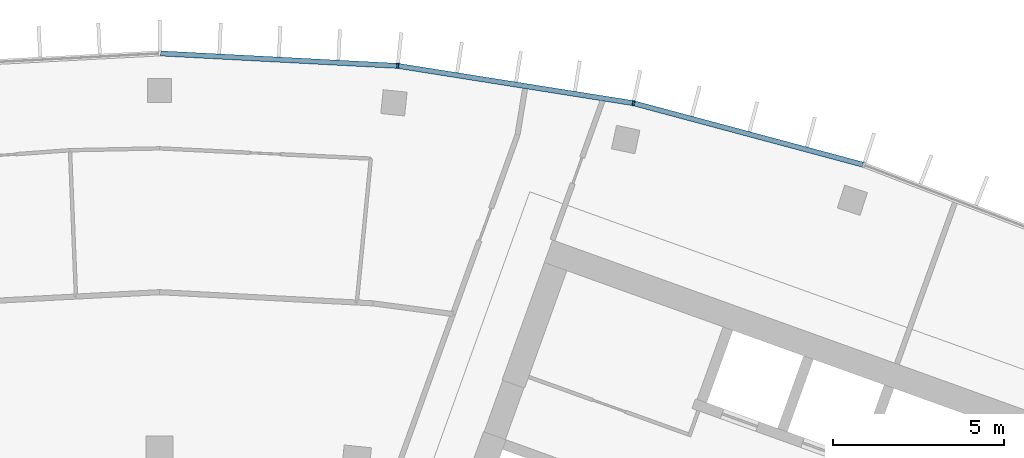
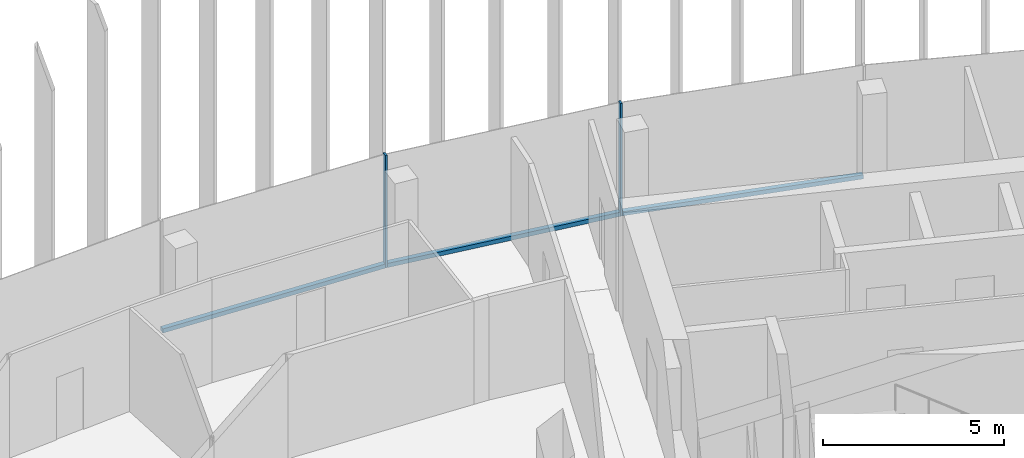
# One storey, part 7 of 18: 5 members, 1 element without a shape of its own.
"""IFC4 building model written with IfcOpenShell, lengths in metres."""

from ifc_helpers import new_model, si_unit, direction, frame, origin, origin_2d, place, context, subcontext, project, spatial, rectangle, extrude, material, layer, layer_set, material_profile, profile_set, type_object, element, aggregate, save


model = new_model("IFC4")

# Units and contexts
model_context = context("Model", 3, precision=1e-05, world=origin(), true_north=direction((0.0, 1.0)))
body_context = subcontext(model_context, "Body", "Model", "MODEL_VIEW")
ifc_project = project(units=[si_unit("LENGTHUNIT", "METRE"), si_unit("AREAUNIT", "SQUARE_METRE"), si_unit("VOLUMEUNIT", "CUBIC_METRE"), si_unit("PLANEANGLEUNIT", "RADIAN"), si_unit("MASSUNIT", "GRAM", prefix="KILO")], contexts=[model_context])

# Site, building, storey
site_placement = place(None, origin())
site = spatial("IfcSite", under=ifc_project, at=site_placement, CompositionType="ELEMENT")
building_placement = place(site_placement, origin())
building = spatial("IfcBuilding", under=site, at=building_placement, Name="Stone Belt Terrace Tower", CompositionType="ELEMENT")
storey_placement = place(building_placement, frame((0.0, 0.0, 269.39990234375)))
storey = spatial("IfcBuildingStorey", under=building, at=storey_placement, Name="L65", CompositionType="ELEMENT", Elevation=269.39990234375)

# Curtain wall, members
ifc_material = material(Name="Aluminium 6063-T6 anodised frame", Category="aluminium")
ifc_layer = layer(ifc_material, 0.14990234375)
ifc_layer_set = layer_set([ifc_layer], Name="CW-A unitised convex-face curtain wall")
curtain_wall_type = type_object("IfcCurtainWallType", Name="CW-A unitised convex-face curtain wall", PredefinedType="NOTDEFINED", material=ifc_layer_set)
curtain_wall_placement = place(storey_placement, origin())
curtain_wall = element("IfcCurtainWall", 1, at=curtain_wall_placement, inside=storey, type_object=curtain_wall_type, Name="CW-A convex face L65", PredefinedType="NOTDEFINED")
ifc_material_profile_1 = material_profile(ifc_material, rectangle(XDim=0.14990234375, YDim=0.06005859375, at=origin_2d()), Name="Aluminium 6063-T6 60x150")
ifc_profile_set_1 = profile_set([ifc_material_profile_1], Name="Aluminium 6063-T6 anodised frame")
member_type_1 = type_object("IfcMemberType", Name="CW-A mullion 60 x 150", PredefinedType="MULLION", material=ifc_profile_set_1)
member_1_placement = place(storey_placement, frame((13.841796875, 65.120361328125, 0.0), z_axis=(0.0, 0.0, 1.0), x_axis=(-0.207911690818, -0.978147600734, 0.0)))
member_1 = element("IfcMember", 2, at=member_1_placement, type_object=member_type_1, Name="CW-A mullion 6", PredefinedType="MULLION", context=body_context, shape_type="SweptSolid", body=[
    extrude(rectangle(XDim=0.14990234375, YDim=0.06005859375, at=origin_2d()), origin(), (0.0, 0.0, 1.0), 3.800048828125),
])
member_2_placement = place(storey_placement, frame((6.958984375, 66.21044921875, 0.0), z_axis=(0.0, 0.0, 1.0), x_axis=(-0.104528463268, -0.994521895368, 0.0)))
member_2 = element("IfcMember", 3, at=member_2_placement, type_object=member_type_1, Name="CW-A mullion 7", PredefinedType="MULLION", context=body_context, shape_type="SweptSolid", body=[
    extrude(rectangle(XDim=0.14990234375, YDim=0.06005859375, at=origin_2d()), origin(), (0.0, 0.0, 1.0), 3.800048828125),
])
ifc_material_profile_2 = material_profile(ifc_material, rectangle(XDim=0.14990234375, YDim=0.139892578125, at=origin_2d()), Name="Aluminium 6063-T6 150x140")
ifc_profile_set_2 = profile_set([ifc_material_profile_2], Name="Aluminium 6063-T6 anodised frame")
member_type_2 = type_object("IfcMemberType", Name="CW-A transom 140 x 150", PredefinedType="USERDEFINED", material=ifc_profile_set_2)
member_3_placement = place(storey_placement, frame((20.5400390625, 63.325439453125, 0.070068359375), z_axis=(-0.965921835863, 0.258833937117, 0.0), x_axis=(-0.258833937117, -0.965921835863, 0.0)))
member_3 = element("IfcMember", 4, at=member_3_placement, type_object=member_type_2, Name="CW-A transom 5.1", ObjectType="TRANSOM", PredefinedType="USERDEFINED", context=body_context, shape_type="SweptSolid", body=[
    extrude(rectangle(XDim=0.14990234375, YDim=0.139892578125, at=origin_2d()), origin(), (0.0, 0.0, 1.0), 6.900634765625),
])
member_4_placement = place(storey_placement, frame((13.808349609375, 65.12548828125, 0.070068359375), z_axis=(-0.987687120531, 0.156442168027, 0.0), x_axis=(-0.156442168027, -0.987687120531, 0.0)))
member_4 = element("IfcMember", 5, at=member_4_placement, type_object=member_type_2, Name="CW-A transom 6.1", ObjectType="TRANSOM", PredefinedType="USERDEFINED", context=body_context, shape_type="SweptSolid", body=[
    extrude(rectangle(XDim=0.14990234375, YDim=0.139892578125, at=origin_2d()), origin(), (0.0, 0.0, 1.0), 6.90087890625),
])
member_5_placement = place(storey_placement, frame((6.925048828125, 66.212158203125, 0.070068359375), z_axis=(-0.998630019135, 0.052326712899, 0.0), x_axis=(-0.052326712899, -0.998630019135, 0.0)))
member_5 = element("IfcMember", 6, at=member_5_placement, type_object=member_type_2, Name="CW-A transom 7.1", ObjectType="TRANSOM", PredefinedType="USERDEFINED", context=body_context, shape_type="SweptSolid", body=[
    extrude(rectangle(XDim=0.14990234375, YDim=0.139892578125, at=origin_2d()), origin(), (0.0, 0.0, 1.0), 6.900634765625),
])
aggregate(curtain_wall, [member_1, member_2, member_3, member_4, member_5])

save(model, "model.ifc")
